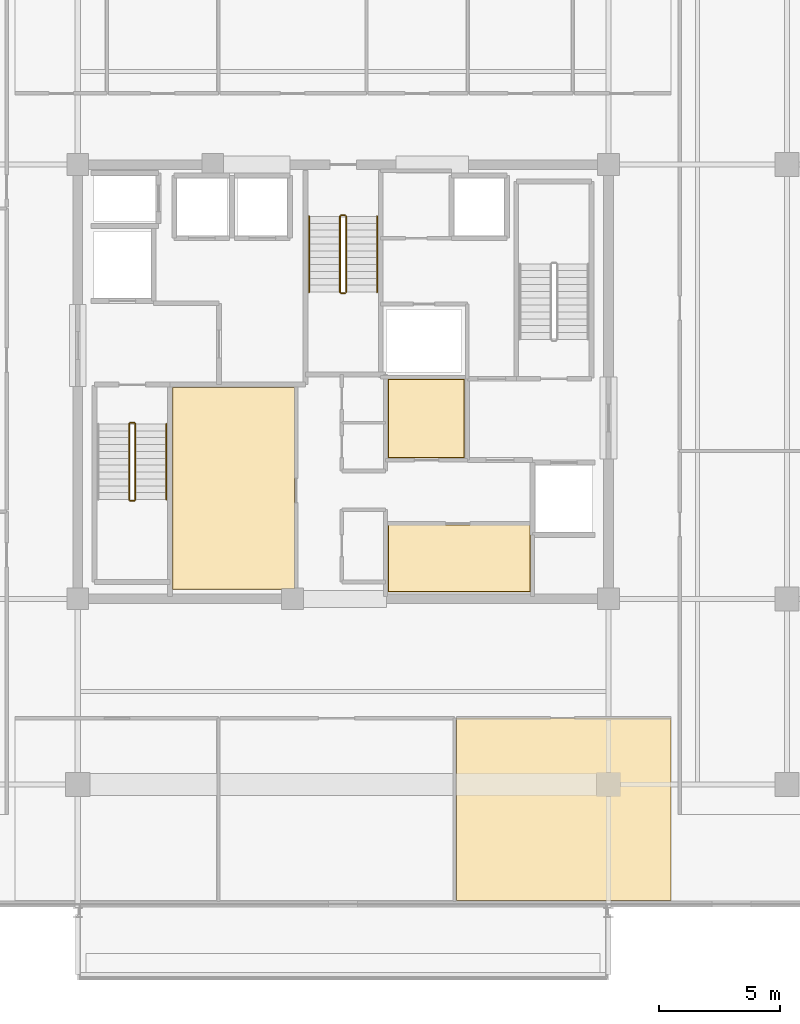
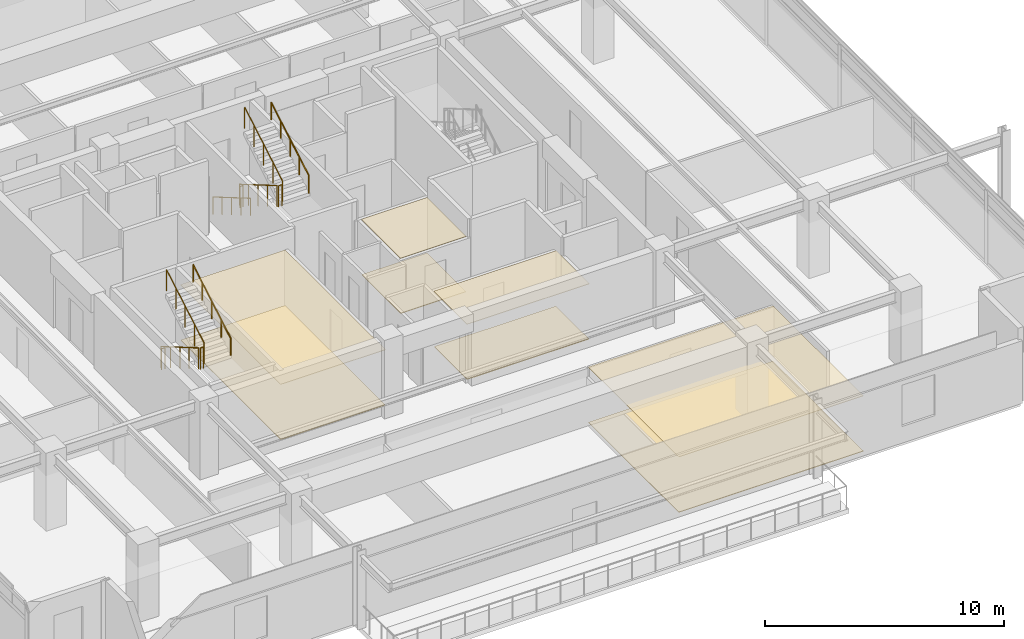
# One storey, part 18 of 20: 11 railings, 8 coverings.
"""IFC4 building model written with IfcOpenShell, lengths in metres."""

from ifc_helpers import new_model, si_unit, direction, frame, origin, origin_2d, place, context, subcontext, project, spatial, polyline, circle, outline, extrude, material, layer, layer_set, type_object, element, save


model = new_model("IFC4")

# Units and contexts
model_context = context("Model", 3, precision=1e-05, world=origin(), true_north=direction((0.0, 1.0)))
body_context = subcontext(model_context, "Body", "Model", "MODEL_VIEW")
ifc_project = project(units=[si_unit("LENGTHUNIT", "METRE"), si_unit("AREAUNIT", "SQUARE_METRE"), si_unit("VOLUMEUNIT", "CUBIC_METRE"), si_unit("PLANEANGLEUNIT", "RADIAN"), si_unit("MASSUNIT", "GRAM", prefix="KILO")], contexts=[model_context])

# Site, building, storey
site_placement = place(None, origin())
site = spatial("IfcSite", under=ifc_project, at=site_placement, CompositionType="ELEMENT")
building_placement = place(site_placement, origin())
building = spatial("IfcBuilding", under=site, at=building_placement, Name="Kovane Verandah Tower", CompositionType="ELEMENT")
storey_placement = place(building_placement, frame((0.0, 0.0, 322.800048828125)))
storey = spatial("IfcBuildingStorey", under=building, at=storey_placement, Name="L75", CompositionType="ELEMENT", Elevation=322.800048828125)

# Coverings
ifc_material_1 = material(Name="Perforated Acoustic Mineral-Fibre Ceiling Tile", Category="gypsum")
ifc_layer_1 = layer(ifc_material_1, 0.02490234375)
ifc_layer_set_1 = layer_set([ifc_layer_1], Name="Perforated Acoustic Mineral-Fibre Ceiling Tile")
covering_type_1 = type_object("IfcCoveringType", Name="CV-CEIL-25", PredefinedType="CEILING", material=ifc_layer_set_1)
covering_1_placement = place(storey_placement, frame((0.0, 0.0, 2.824951171875)))
element("IfcCovering", 1, at=covering_1_placement, inside=storey, type_object=covering_type_1, Name="L75 Tenant Wellness and Archive Suite Acoustic Ceiling", PredefinedType="CEILING", context=body_context, shape_type="SweptSolid", body=[
    extrude(outline(polyline([(32.93505859375, 18.885009765625), (37.9951171875, 18.885009765625), (37.9951171875, 27.264892578125), (32.93505859375, 27.264892578125), (32.93505859375, 18.885009765625)])), origin(), (0.0, 0.0, 1.0), 0.02490234375),
])
covering_2_placement = place(storey_placement, frame((0.0, 0.0, 2.824951171875)))
element("IfcCovering", 2, at=covering_2_placement, inside=storey, type_object=covering_type_1, Name="L75 Records Vault Room Acoustic Ceiling", PredefinedType="CEILING", context=body_context, shape_type="SweptSolid", body=[
    extrude(outline(polyline([(41.864990234375, 18.784912109375), (47.764892578125, 18.784912109375), (47.764892578125, 21.56494140625), (41.864990234375, 21.56494140625), (41.864990234375, 18.784912109375)])), origin(), (0.0, 0.0, 1.0), 0.02490234375),
])
covering_3_placement = place(storey_placement, frame((0.0, 0.0, 2.824951171875)))
element("IfcCovering", 3, at=covering_3_placement, inside=storey, type_object=covering_type_1, Name="L75 Document Archive Room Acoustic Ceiling", PredefinedType="CEILING", context=body_context, shape_type="SweptSolid", body=[
    extrude(outline(polyline([(41.864990234375, 24.3349609375), (45.034912109375, 24.3349609375), (45.034912109375, 27.614990234375), (41.864990234375, 27.614990234375), (41.864990234375, 24.3349609375)])), origin(), (0.0, 0.0, 1.0), 0.02490234375),
])
covering_4_placement = place(storey_placement, frame((0.0, 0.0, 2.824951171875)))
element("IfcCovering", 4, at=covering_4_placement, inside=storey, type_object=covering_type_1, Name="L75 Meeting Room S3 Acoustic Ceiling", PredefinedType="CEILING", context=body_context, shape_type="SweptSolid", body=[
    extrude(outline(polyline([(44.694091796875, 6.0), (53.60009765625, 6.0), (53.60009765625, 13.550048828125), (44.694091796875, 13.550048828125), (44.694091796875, 6.0)])), origin(), (0.0, 0.0, 1.0), 0.02490234375),
])
ifc_material_2 = material(Name="Polished Terrazzo and Raised-Access Carpet Tile Finish", Category="concrete")
ifc_layer_2 = layer(ifc_material_2, 0.030029296875)
ifc_layer_set_2 = layer_set([ifc_layer_2], Name="Polished Terrazzo and Raised-Access Carpet Tile Finish")
covering_type_2 = type_object("IfcCoveringType", Name="CV-FLOR-30", PredefinedType="FLOORING", material=ifc_layer_set_2)
covering_5_placement = place(storey_placement, origin())
element("IfcCovering", 5, at=covering_5_placement, inside=storey, type_object=covering_type_2, Name="L75 Tenant Wellness and Archive Suite Floor Finish", PredefinedType="FLOORING", context=body_context, shape_type="SweptSolid", body=[
    extrude(outline(polyline([(32.949951171875, 18.89990234375), (37.97998046875, 18.89990234375), (37.97998046875, 27.25), (32.949951171875, 27.25), (32.949951171875, 18.89990234375)])), origin(), (0.0, 0.0, 1.0), 0.030029296875),
])
covering_6_placement = place(storey_placement, origin())
element("IfcCovering", 6, at=covering_6_placement, inside=storey, type_object=covering_type_2, Name="L75 Records Vault Room Floor Finish", PredefinedType="FLOORING", context=body_context, shape_type="SweptSolid", body=[
    extrude(outline(polyline([(41.8798828125, 18.800048828125), (47.75, 18.800048828125), (47.75, 21.550048828125), (41.8798828125, 21.550048828125), (41.8798828125, 18.800048828125)])), origin(), (0.0, 0.0, 1.0), 0.030029296875),
])
covering_7_placement = place(storey_placement, origin())
element("IfcCovering", 7, at=covering_7_placement, inside=storey, type_object=covering_type_2, Name="L75 Document Archive Room Floor Finish", PredefinedType="FLOORING", context=body_context, shape_type="SweptSolid", body=[
    extrude(outline(polyline([(41.8798828125, 24.35009765625), (45.02001953125, 24.35009765625), (45.02001953125, 27.60009765625), (41.8798828125, 27.60009765625), (41.8798828125, 24.35009765625)])), origin(), (0.0, 0.0, 1.0), 0.030029296875),
])
covering_8_placement = place(storey_placement, origin())
element("IfcCovering", 8, at=covering_8_placement, inside=storey, type_object=covering_type_2, Name="L75 Meeting Room S3 Floor Finish", PredefinedType="FLOORING", context=body_context, shape_type="SweptSolid", body=[
    extrude(outline(polyline([(44.694091796875, 6.0), (53.60009765625, 6.0), (53.60009765625, 13.550048828125), (44.694091796875, 13.550048828125), (44.694091796875, 6.0)])), origin(), (0.0, 0.0, 1.0), 0.030029296875),
])

# Railings
ifc_material_3 = material(Name="Brushed Stainless Steel Handrail", Category="steel")
railing_type_1 = type_object("IfcRailingType", Name="RL-HAND-920", PredefinedType="HANDRAIL", material=ifc_material_3)
railing_1_placement = place(storey_placement, frame((32.669921875, 22.614990234375, 2.16650390625)))
element("IfcRailing", 9, at=railing_1_placement, inside=storey, type_object=railing_type_1, Name="L75 ST-01 stair handrail 2", PredefinedType="HANDRAIL", context=body_context, shape_type="SweptSolid", body=[
    extrude(circle(Radius=0.02392578125, at=origin_2d()), frame((0.0, 0.0, 0.8759765625), z_axis=(0.0, 0.863210265497, 0.504844567704), x_axis=(-1.0, 0.0, 0.0)), (0.0, 0.0, 1.0), 3.6318359375),
    extrude(circle(Radius=0.02099609375, at=origin_2d()), origin(), (0.0, 0.0, 1.0), 0.851806640625),
    extrude(circle(Radius=0.02099609375, at=origin_2d()), frame((0.0, 0.78369140625, 0.45849609375)), (0.0, 0.0, 1.0), 0.851806640625),
    extrude(circle(Radius=0.02099609375, at=origin_2d()), frame((0.0, 1.5673828125, 0.916748046875)), (0.0, 0.0, 1.0), 0.851806640625),
    extrude(circle(Radius=0.02099609375, at=origin_2d()), frame((0.0, 2.351318359375, 1.375)), (0.0, 0.0, 1.0), 0.851806640625),
    extrude(circle(Radius=0.02099609375, at=origin_2d()), frame((0.0, 3.135009765625, 1.83349609375)), (0.0, 0.0, 1.0), 0.851806640625),
])
railing_2_placement = place(storey_placement, frame((38.590087890625, 34.35009765625, 0.16650390625)))
element("IfcRailing", 10, at=railing_2_placement, inside=storey, type_object=railing_type_1, Name="L75 ST-03 stair handrail 1", PredefinedType="HANDRAIL", context=body_context, shape_type="SweptSolid", body=[
    extrude(circle(Radius=0.02392578125, at=origin_2d()), frame((0.0, 0.0, 0.8759765625), z_axis=(0.0, -0.863210265497, 0.504844567704), x_axis=(1.0, 0.0, 0.0)), (0.0, 0.0, 1.0), 3.6318359375),
    extrude(circle(Radius=0.02099609375, at=origin_2d()), origin(), (0.0, 0.0, 1.0), 0.851806640625),
    extrude(circle(Radius=0.02099609375, at=origin_2d()), frame((0.0, -0.78369140625, 0.45849609375)), (0.0, 0.0, 1.0), 0.851806640625),
    extrude(circle(Radius=0.02099609375, at=origin_2d()), frame((0.0, -1.5673828125, 0.916748046875)), (0.0, 0.0, 1.0), 0.851806640625),
    extrude(circle(Radius=0.02099609375, at=origin_2d()), frame((0.0, -2.351318359375, 1.375)), (0.0, 0.0, 1.0), 0.851806640625),
    extrude(circle(Radius=0.02099609375, at=origin_2d()), frame((0.0, -3.135009765625, 1.83349609375)), (0.0, 0.0, 1.0), 0.851806640625),
])
railing_3_placement = place(storey_placement, frame((41.409912109375, 31.215087890625, 2.16650390625)))
element("IfcRailing", 11, at=railing_3_placement, inside=storey, type_object=railing_type_1, Name="L75 ST-03 stair handrail 2", PredefinedType="HANDRAIL", context=body_context, shape_type="SweptSolid", body=[
    extrude(circle(Radius=0.02392578125, at=origin_2d()), frame((0.0, 0.0, 0.8759765625), z_axis=(0.0, 0.863210265497, 0.504844567704), x_axis=(-1.0, 0.0, 0.0)), (0.0, 0.0, 1.0), 3.6318359375),
    extrude(circle(Radius=0.02099609375, at=origin_2d()), origin(), (0.0, 0.0, 1.0), 0.851806640625),
    extrude(circle(Radius=0.02099609375, at=origin_2d()), frame((0.0, 0.78369140625, 0.45849609375)), (0.0, 0.0, 1.0), 0.851806640625),
    extrude(circle(Radius=0.02099609375, at=origin_2d()), frame((0.0, 1.5673828125, 0.916748046875)), (0.0, 0.0, 1.0), 0.851806640625),
    extrude(circle(Radius=0.02099609375, at=origin_2d()), frame((0.0, 2.351318359375, 1.375)), (0.0, 0.0, 1.0), 0.851806640625),
    extrude(circle(Radius=0.02099609375, at=origin_2d()), frame((0.0, 3.135009765625, 1.83349609375)), (0.0, 0.0, 1.0), 0.851806640625),
])
ifc_material_4 = material(Name="Painted Steel Stairwell Guardrail", Category="steel")
railing_type_2 = type_object("IfcRailingType", Name="RL-STGUARD-1120", PredefinedType="GUARDRAIL", material=ifc_material_4)
railing_4_placement = place(storey_placement, frame((31.1298828125, 25.75, 0.16650390625)))
element("IfcRailing", 12, at=railing_4_placement, inside=storey, type_object=railing_type_2, Name="L75 ST-01 stair guard 1", PredefinedType="GUARDRAIL", context=body_context, shape_type="SweptSolid", body=[
    extrude(circle(Radius=0.02392578125, at=origin_2d()), frame((0.0, 0.0, 1.076171875), z_axis=(0.0, -0.863210265497, 0.504844567704), x_axis=(1.0, 0.0, 0.0)), (0.0, 0.0, 1.0), 3.6318359375),
    extrude(circle(Radius=0.02099609375, at=origin_2d()), origin(), (0.0, 0.0, 1.0), 1.052001953125),
    extrude(circle(Radius=0.02099609375, at=origin_2d()), frame((0.0, -0.78369140625, 0.45849609375)), (0.0, 0.0, 1.0), 1.052001953125),
    extrude(circle(Radius=0.02099609375, at=origin_2d()), frame((0.0, -1.5673828125, 0.916748046875)), (0.0, 0.0, 1.0), 1.052001953125),
    extrude(circle(Radius=0.02099609375, at=origin_2d()), frame((0.0, -2.351318359375, 1.375)), (0.0, 0.0, 1.0), 1.052001953125),
    extrude(circle(Radius=0.02099609375, at=origin_2d()), frame((0.0, -3.135009765625, 1.83349609375)), (0.0, 0.0, 1.0), 1.052001953125),
])
railing_5_placement = place(storey_placement, frame((31.179931640625, 22.56494140625, 2.0)))
element("IfcRailing", 13, at=railing_5_placement, inside=storey, type_object=railing_type_2, Name="L75 ST-01 stair guard 2", PredefinedType="GUARDRAIL", context=body_context, shape_type="SweptSolid", body=[
    extrude(circle(Radius=0.02392578125, at=origin_2d()), frame((0.0, 0.0, 1.076171875), z_axis=(1.0, 0.0, 0.0), x_axis=(0.0, 1.0, 0.0)), (0.0, 0.0, 1.0), 0.16015625),
    extrude(circle(Radius=0.02099609375, at=origin_2d()), origin(), (0.0, 0.0, 1.0), 1.052001953125),
    extrude(circle(Radius=0.02099609375, at=origin_2d()), frame((0.16015625, 0.0, 0.0)), (0.0, 0.0, 1.0), 1.052001953125),
])
railing_6_placement = place(storey_placement, frame((31.389892578125, 22.614990234375, 2.16650390625)))
element("IfcRailing", 14, at=railing_6_placement, inside=storey, type_object=railing_type_2, Name="L75 ST-01 stair guard 3", PredefinedType="GUARDRAIL", context=body_context, shape_type="SweptSolid", body=[
    extrude(circle(Radius=0.02392578125, at=origin_2d()), frame((0.0, 0.0, 1.076171875), z_axis=(0.0, 0.863210265497, 0.504844567704), x_axis=(-1.0, 0.0, 0.0)), (0.0, 0.0, 1.0), 3.6318359375),
    extrude(circle(Radius=0.02099609375, at=origin_2d()), origin(), (0.0, 0.0, 1.0), 1.052001953125),
    extrude(circle(Radius=0.02099609375, at=origin_2d()), frame((0.0, 0.78369140625, 0.45849609375)), (0.0, 0.0, 1.0), 1.052001953125),
    extrude(circle(Radius=0.02099609375, at=origin_2d()), frame((0.0, 1.5673828125, 0.916748046875)), (0.0, 0.0, 1.0), 1.052001953125),
    extrude(circle(Radius=0.02099609375, at=origin_2d()), frame((0.0, 2.351318359375, 1.375)), (0.0, 0.0, 1.0), 1.052001953125),
    extrude(circle(Radius=0.02099609375, at=origin_2d()), frame((0.0, 3.135009765625, 1.83349609375)), (0.0, 0.0, 1.0), 1.052001953125),
])
railing_7_placement = place(storey_placement, frame((31.179931640625, 25.800048828125, 0.0)))
element("IfcRailing", 15, at=railing_7_placement, inside=storey, type_object=railing_type_2, Name="L75 ST-01 stair guard 4", PredefinedType="GUARDRAIL", context=body_context, shape_type="SweptSolid", body=[
    extrude(circle(Radius=0.02392578125, at=origin_2d()), frame((0.0, 0.0, 1.076171875), z_axis=(1.0, 0.0, 0.0), x_axis=(0.0, 1.0, 0.0)), (0.0, 0.0, 1.0), 0.16015625),
    extrude(circle(Radius=0.02099609375, at=origin_2d()), origin(), (0.0, 0.0, 1.0), 1.052001953125),
    extrude(circle(Radius=0.02099609375, at=origin_2d()), frame((0.16015625, 0.0, 0.0)), (0.0, 0.0, 1.0), 1.052001953125),
])
railing_8_placement = place(storey_placement, frame((39.8701171875, 34.35009765625, 0.16650390625)))
element("IfcRailing", 16, at=railing_8_placement, inside=storey, type_object=railing_type_2, Name="L75 ST-03 stair guard 1", PredefinedType="GUARDRAIL", context=body_context, shape_type="SweptSolid", body=[
    extrude(circle(Radius=0.02392578125, at=origin_2d()), frame((0.0, 0.0, 1.076171875), z_axis=(0.0, -0.863210265497, 0.504844567704), x_axis=(1.0, 0.0, 0.0)), (0.0, 0.0, 1.0), 3.6318359375),
    extrude(circle(Radius=0.02099609375, at=origin_2d()), origin(), (0.0, 0.0, 1.0), 1.052001953125),
    extrude(circle(Radius=0.02099609375, at=origin_2d()), frame((0.0, -0.78369140625, 0.45849609375)), (0.0, 0.0, 1.0), 1.052001953125),
    extrude(circle(Radius=0.02099609375, at=origin_2d()), frame((0.0, -1.5673828125, 0.916748046875)), (0.0, 0.0, 1.0), 1.052001953125),
    extrude(circle(Radius=0.02099609375, at=origin_2d()), frame((0.0, -2.351318359375, 1.375)), (0.0, 0.0, 1.0), 1.052001953125),
    extrude(circle(Radius=0.02099609375, at=origin_2d()), frame((0.0, -3.135009765625, 1.83349609375)), (0.0, 0.0, 1.0), 1.052001953125),
])
railing_9_placement = place(storey_placement, frame((39.919921875, 31.1650390625, 2.0)))
element("IfcRailing", 17, at=railing_9_placement, inside=storey, type_object=railing_type_2, Name="L75 ST-03 stair guard 2", PredefinedType="GUARDRAIL", context=body_context, shape_type="SweptSolid", body=[
    extrude(circle(Radius=0.02392578125, at=origin_2d()), frame((0.0, 0.0, 1.076171875), z_axis=(1.0, 0.0, 0.0), x_axis=(0.0, 1.0, 0.0)), (0.0, 0.0, 1.0), 0.16015625),
    extrude(circle(Radius=0.02099609375, at=origin_2d()), origin(), (0.0, 0.0, 1.0), 1.052001953125),
    extrude(circle(Radius=0.02099609375, at=origin_2d()), frame((0.16015625, 0.0, 0.0)), (0.0, 0.0, 1.0), 1.052001953125),
])
railing_10_placement = place(storey_placement, frame((40.1298828125, 31.215087890625, 2.16650390625)))
element("IfcRailing", 18, at=railing_10_placement, inside=storey, type_object=railing_type_2, Name="L75 ST-03 stair guard 3", PredefinedType="GUARDRAIL", context=body_context, shape_type="SweptSolid", body=[
    extrude(circle(Radius=0.02392578125, at=origin_2d()), frame((0.0, 0.0, 1.076171875), z_axis=(0.0, 0.863210265497, 0.504844567704), x_axis=(-1.0, 0.0, 0.0)), (0.0, 0.0, 1.0), 3.6318359375),
    extrude(circle(Radius=0.02099609375, at=origin_2d()), origin(), (0.0, 0.0, 1.0), 1.052001953125),
    extrude(circle(Radius=0.02099609375, at=origin_2d()), frame((0.0, 0.78369140625, 0.45849609375)), (0.0, 0.0, 1.0), 1.052001953125),
    extrude(circle(Radius=0.02099609375, at=origin_2d()), frame((0.0, 1.5673828125, 0.916748046875)), (0.0, 0.0, 1.0), 1.052001953125),
    extrude(circle(Radius=0.02099609375, at=origin_2d()), frame((0.0, 2.351318359375, 1.375)), (0.0, 0.0, 1.0), 1.052001953125),
    extrude(circle(Radius=0.02099609375, at=origin_2d()), frame((0.0, 3.135009765625, 1.83349609375)), (0.0, 0.0, 1.0), 1.052001953125),
])
railing_11_placement = place(storey_placement, frame((39.919921875, 34.39990234375, 0.0)))
element("IfcRailing", 19, at=railing_11_placement, inside=storey, type_object=railing_type_2, Name="L75 ST-03 stair guard 4", PredefinedType="GUARDRAIL", context=body_context, shape_type="SweptSolid", body=[
    extrude(circle(Radius=0.02392578125, at=origin_2d()), frame((0.0, 0.0, 1.076171875), z_axis=(1.0, 0.0, 0.0), x_axis=(0.0, 1.0, 0.0)), (0.0, 0.0, 1.0), 0.16015625),
    extrude(circle(Radius=0.02099609375, at=origin_2d()), origin(), (0.0, 0.0, 1.0), 1.052001953125),
    extrude(circle(Radius=0.02099609375, at=origin_2d()), frame((0.16015625, 0.0, 0.0)), (0.0, 0.0, 1.0), 1.052001953125),
])

save(model, "model.ifc")
